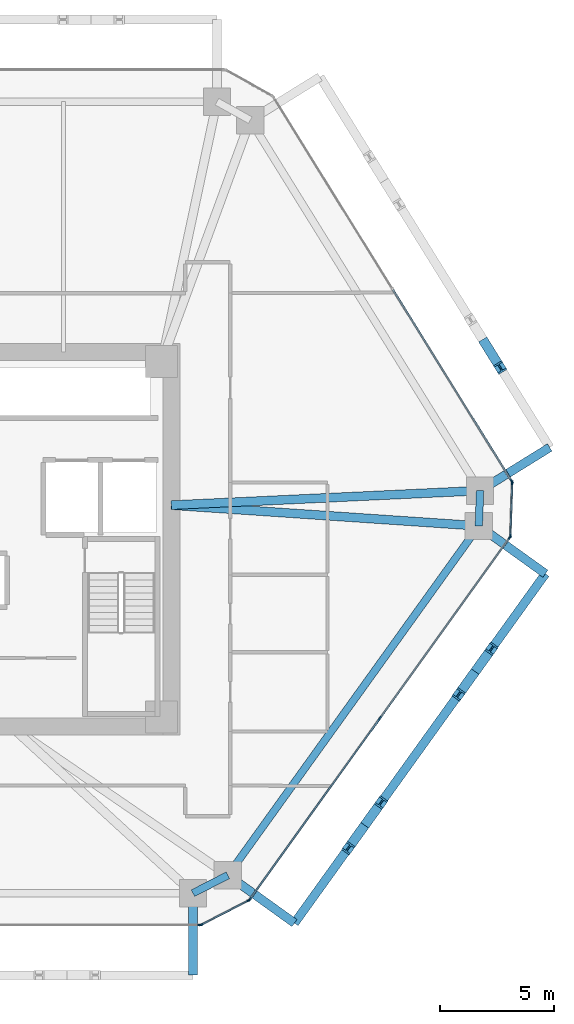
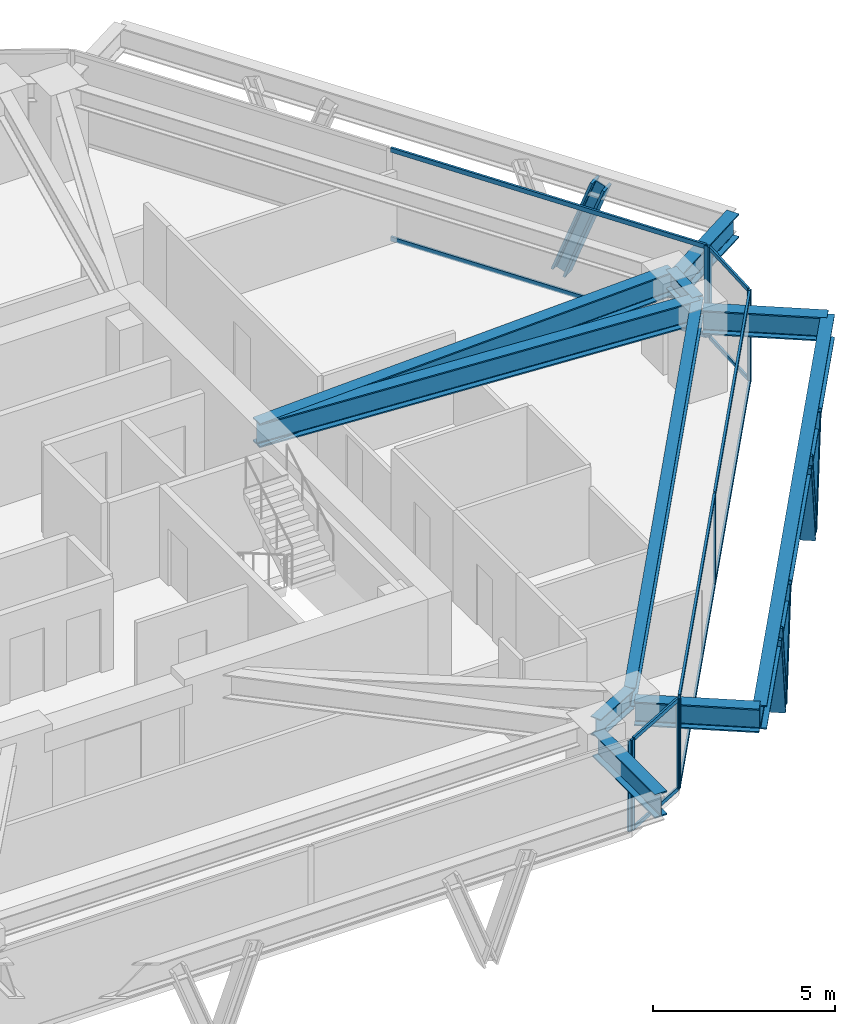
# One storey, part 5 of 13: 24 members, 10 beams, 5 elements without a shape of their own.
"""IFC4 building model written with IfcOpenShell, lengths in metres."""

from ifc_helpers import new_model, si_unit, direction, frame, origin, origin_2d, place, context, subcontext, project, spatial, rectangle, i_section, extrude, source, transform, mapped, material, layer, layer_set, material_profile, profile_set, type_object, type_shapes, element, aggregate, save


model = new_model("IFC4")

# Units and contexts
model_context = context("Model", 3, precision=1e-05, world=origin(), true_north=direction((0.0, 1.0)))
body_context = subcontext(model_context, "Body", "Model", "MODEL_VIEW")
ifc_project = project(units=[si_unit("LENGTHUNIT", "METRE"), si_unit("AREAUNIT", "SQUARE_METRE"), si_unit("VOLUMEUNIT", "CUBIC_METRE"), si_unit("PLANEANGLEUNIT", "RADIAN"), si_unit("MASSUNIT", "GRAM", prefix="KILO")], contexts=[model_context])

# Site, building, storey
site_placement = place(None, origin())
site = spatial("IfcSite", under=ifc_project, at=site_placement, CompositionType="ELEMENT")
building_placement = place(site_placement, origin())
building = spatial("IfcBuilding", under=site, at=building_placement, Name="Durnholm Broadcast Tower", CompositionType="ELEMENT")
storey_placement = place(building_placement, frame((0.0, 0.0, 100.800048828125)))
storey = spatial("IfcBuildingStorey", under=building, at=storey_placement, Name="L26", CompositionType="ELEMENT", Elevation=100.800048828125)

# Beams
ifc_material_1 = material(Name="Steel ASTM A992 Grade 50", Category="steel")
ifc_material_profile_1 = material_profile(ifc_material_1, i_section(OverallWidth=0.385009765625, OverallDepth=0.802978515625, WebThickness=0.023681640625, FlangeThickness=0.0419921875, FilletRadius=0.032958984375, at=origin_2d()), Name="W30X261")
ifc_profile_set_1 = profile_set([ifc_material_profile_1], Name="Steel ASTM A992 Grade 50")
beam_type_1 = type_object("IfcBeamType", Name="BM-EXO-TIE", PredefinedType="USERDEFINED", material=ifc_profile_set_1)
shared_shape_1 = source(origin(), body_context, "Body", "SweptSolid", [
    extrude(i_section(OverallWidth=0.385009765625, OverallDepth=0.802978515625, WebThickness=0.023681640625, FlangeThickness=0.0419921875, FilletRadius=0.032958984375, at=origin_2d()), origin(), (0.0, 0.0, 1.0), 3.4560546875),
])
for number, where, z_axis, x_axis, name in (
    (1, (11.176025390625, -15.680908203125, 2.30859375), (0.0, -1.0, 0.0), (1.0, 0.0, 0.0), "L26 exoskeleton stand-off tie bracket F1.2"),
    (2, (12.826904296875, -14.834228515625, 2.30859375), (0.812164951739, -0.583427880005, 0.0), (0.583427880005, 0.812164951739, 0.0), "L26 exoskeleton stand-off tie bracket F2.1"),
    (3, (23.844970703125, 0.5029296875, 2.30859375), (0.812164951739, -0.583427880005, 0.0), (0.583427880005, 0.812164951739, 0.0), "L26 exoskeleton stand-off tie bracket F2.2"),
    (4, (23.903076171875, 2.21240234375, 2.30859375), (0.849795112316, 0.527113144481, 0.0), (-0.527113144481, 0.849795112316, 0.0), "L26 exoskeleton stand-off tie bracket F3.1"),
):
    element("IfcBeam", number, at=place(storey_placement, frame(where, z_axis=z_axis, x_axis=x_axis)), inside=storey, type_object=beam_type_1, Name=name, ObjectType="GIRDER", PredefinedType="USERDEFINED", context=body_context, shape_type="MappedRepresentation", body=[
        mapped(shared_shape_1, transform((0.0, 0.0, 0.0), x_axis=(1.0, 0.0, 0.0), y_axis=(0.0, 1.0, 0.0), z_axis=(0.0, 0.0, 1.0), scale=1.0)),
    ])
ifc_material_profile_2 = material_profile(ifc_material_1, i_section(OverallWidth=0.3291015625, OverallDepth=0.635009765625, WebThickness=0.017822265625, FlangeThickness=0.031005859375, FilletRadius=0.02783203125, at=origin_2d()), Name="W24X162")
ifc_profile_set_2 = profile_set([ifc_material_profile_2], Name="Steel ASTM A992 Grade 50")
beam_type_2 = type_object("IfcBeamType", Name="STL-SP-W24X162", PredefinedType="SPANDREL", material=ifc_profile_set_2)
shared_shape_2 = source(origin(), body_context, "Body", "SweptSolid", [
    extrude(i_section(OverallWidth=0.3291015625, OverallDepth=0.635009765625, WebThickness=0.017822265625, FlangeThickness=0.031005859375, FilletRadius=0.02783203125, at=origin_2d()), origin(), (0.0, 0.0, 1.0), 18.884521484375),
])
beam_1_placement = place(storey_placement, frame((23.72802734375, 0.5869140625, 2.7275390625), z_axis=(-0.583443434414, -0.812153777827, 0.0), x_axis=(0.812153777827, -0.583443434414, 0.0)))
element("IfcBeam", 5, at=beam_1_placement, inside=storey, type_object=beam_type_2, Name="L26 perimeter spandrel girder 09", PredefinedType="SPANDREL", context=body_context, shape_type="MappedRepresentation", body=[
    mapped(shared_shape_2, transform((0.0, 0.0, 0.0), x_axis=(1.0, 0.0, 0.0), y_axis=(0.0, 1.0, 0.0), z_axis=(0.0, 0.0, 1.0), scale=1.0)),
])
shared_shape_3 = source(origin(), body_context, "Body", "SweptSolid", [
    extrude(i_section(OverallWidth=0.3291015625, OverallDepth=0.635009765625, WebThickness=0.017822265625, FlangeThickness=0.031005859375, FilletRadius=0.02783203125, at=origin_2d()), origin(), (0.0, 0.0, 1.0), 1.723876953125),
])
beam_2_placement = place(storey_placement, frame((12.7099609375, -14.750244140625, 2.7275390625), z_axis=(-0.889762904339, -0.456423020959, 0.0), x_axis=(0.456423020959, -0.889762904339, 0.0)))
element("IfcBeam", 6, at=beam_2_placement, inside=storey, type_object=beam_type_2, Name="L26 perimeter spandrel girder 10", PredefinedType="SPANDREL", context=body_context, shape_type="MappedRepresentation", body=[
    mapped(shared_shape_3, transform((0.0, 0.0, 0.0), x_axis=(1.0, 0.0, 0.0), y_axis=(0.0, 1.0, 0.0), z_axis=(0.0, 0.0, 1.0), scale=1.0)),
])
shared_shape_4 = source(origin(), body_context, "Body", "SweptSolid", [
    extrude(i_section(OverallWidth=0.3291015625, OverallDepth=0.635009765625, WebThickness=0.017822265625, FlangeThickness=0.031005859375, FilletRadius=0.02783203125, at=origin_2d()), origin(), (0.0, 0.0, 1.0), 1.55078125),
])
type_shapes(beam_type_2, [shared_shape_2, shared_shape_3, shared_shape_4])
beam_3_placement = place(storey_placement, frame((23.78076171875, 2.13671875, 2.7275390625), z_axis=(-0.03400678419, -0.999421602042, 0.0), x_axis=(0.999421602042, -0.03400678419, 0.0)))
element("IfcBeam", 7, at=beam_3_placement, inside=storey, type_object=beam_type_2, Name="L26 perimeter spandrel girder 08", PredefinedType="SPANDREL", context=body_context, shape_type="MappedRepresentation", body=[
    mapped(shared_shape_4, transform((0.0, 0.0, 0.0), x_axis=(1.0, 0.0, 0.0), y_axis=(0.0, 1.0, 0.0), z_axis=(0.0, 0.0, 1.0), scale=1.0)),
])
ifc_material_profile_3 = material_profile(ifc_material_1, i_section(OverallWidth=0.385009765625, OverallDepth=0.802978515625, WebThickness=0.023681640625, FlangeThickness=0.0419921875, FilletRadius=0.032958984375, at=origin_2d()), Name="W30X261")
ifc_profile_set_3 = profile_set([ifc_material_profile_3], Name="Steel ASTM A992 Grade 50")
beam_type_3 = type_object("IfcBeamType", Name="STL-GR-W30X261", PredefinedType="USERDEFINED", material=ifc_profile_set_3)
shared_shape_5 = source(origin(), body_context, "Body", "SweptSolid", [
    extrude(i_section(OverallWidth=0.385009765625, OverallDepth=0.802978515625, WebThickness=0.023681640625, FlangeThickness=0.0419921875, FilletRadius=0.032958984375, at=origin_2d()), origin(), (0.0, 0.0, 1.0), 13.570556640625),
])
beam_4_placement = place(storey_placement, frame((10.22509765625, 1.5, 2.6435546875), z_axis=(0.99889869961, 0.046918950518, 0.0), x_axis=(-0.046918950518, 0.99889869961, 0.0)))
element("IfcBeam", 8, at=beam_4_placement, inside=storey, type_object=beam_type_3, Name="L26 radial primary floor girder 08", ObjectType="GIRDER", PredefinedType="USERDEFINED", context=body_context, shape_type="MappedRepresentation", body=[
    mapped(shared_shape_5, transform((0.0, 0.0, 0.0), x_axis=(1.0, 0.0, 0.0), y_axis=(0.0, 1.0, 0.0), z_axis=(0.0, 0.0, 1.0), scale=1.0)),
])
shared_shape_6 = source(origin(), body_context, "Body", "SweptSolid", [
    extrude(i_section(OverallWidth=0.385009765625, OverallDepth=0.802978515625, WebThickness=0.023681640625, FlangeThickness=0.0419921875, FilletRadius=0.032958984375, at=origin_2d()), origin(), (0.0, 0.0, 1.0), 13.53369140625),
])
type_shapes(beam_type_3, [shared_shape_5, shared_shape_6])
beam_5_placement = place(storey_placement, frame((10.22509765625, 1.5, 2.6435546875), z_axis=(0.99772148964, -0.067467244725, 0.0), x_axis=(0.067467244725, 0.99772148964, 0.0)))
element("IfcBeam", 9, at=beam_5_placement, inside=storey, type_object=beam_type_3, Name="L26 radial primary floor girder 09", ObjectType="GIRDER", PredefinedType="USERDEFINED", context=body_context, shape_type="MappedRepresentation", body=[
    mapped(shared_shape_6, transform((0.0, 0.0, 0.0), x_axis=(1.0, 0.0, 0.0), y_axis=(0.0, 1.0, 0.0), z_axis=(0.0, 0.0, 1.0), scale=1.0)),
])
shared_shape_7 = source(origin(), body_context, "Body", "SweptSolid", [
    extrude(i_section(OverallWidth=0.385009765625, OverallDepth=0.802978515625, WebThickness=0.023681640625, FlangeThickness=0.0419921875, FilletRadius=0.032958984375, at=origin_2d()), origin(), (0.0, 0.0, 1.0), 18.884521484375),
])
type_shapes(beam_type_1, [shared_shape_1, shared_shape_7])
beam_6_placement = place(storey_placement, frame((15.6337890625, -16.8505859375, 2.30859375), z_axis=(0.583443434414, 0.812153777827, 0.0), x_axis=(-0.812153777827, 0.583443434414, 0.0)))
element("IfcBeam", 10, at=beam_6_placement, inside=storey, type_object=beam_type_1, Name="L26 exoskeleton collector spandrel F2", PredefinedType="SPANDREL", context=body_context, shape_type="MappedRepresentation", body=[
    mapped(shared_shape_7, transform((0.0, 0.0, 0.0), x_axis=(1.0, 0.0, 0.0), y_axis=(0.0, 1.0, 0.0), z_axis=(0.0, 0.0, 1.0), scale=1.0)),
])

# Members
ifc_material_2 = material(Name="Steel ASTM A913 Grade 65", Category="steel")
ifc_material_profile_4 = material_profile(ifc_material_2, i_section(OverallWidth=0.424072265625, OverallDepth=0.47412109375, WebThickness=0.047607421875, FlangeThickness=0.0771484375, FilletRadius=0.030517578125, at=origin_2d()), Name="W14X426")
ifc_profile_set_4 = profile_set([ifc_material_profile_4], Name="Steel ASTM A913 Grade 65")
member_type_1 = type_object("IfcMemberType", Name="STL-DG-W14X426", PredefinedType="BRACE", material=ifc_profile_set_4)
shared_shape_8 = source(origin(), body_context, "Body", "SweptSolid", [
    extrude(i_section(OverallWidth=0.424072265625, OverallDepth=0.47412109375, WebThickness=0.047607421875, FlangeThickness=0.0771484375, FilletRadius=0.030517578125, at=origin_2d()), origin(), (0.0, 0.0, 1.0), 3.523193359375),
])
type_shapes(member_type_1, [shared_shape_8])
for number, where, z_axis, x_axis, name in (
    (11, (18.71875, -12.556396484375, -0.991455078125), (-0.204287819296, -0.284395254542, 0.936688756248), (0.812179469647, -0.583407669717, 0.0), "L26 stand-off diagrid brace F2.D1.1"),
    (12, (18.71875, -12.556396484375, -0.991455078125), (0.204350195342, 0.284454917557, 0.936657033039), (-0.812153063014, 0.583444429434, 0.0), "L26 stand-off diagrid brace F2.D1.2"),
    (13, (23.56689453125, -5.807861328125, -0.991455078125), (-0.204350195342, -0.284454917557, 0.936657033039), (0.812153063014, -0.583444429434, 0.0), "L26 stand-off diagrid brace F2.D2.1"),
    (14, (23.56689453125, -5.807861328125, -0.991455078125), (0.204287819296, 0.284395254542, 0.936688756248), (-0.812179469647, 0.583407669717, 0.0), "L26 stand-off diagrid brace F2.D2.2"),
    (15, (24.01513671875, 8.58837890625, -0.991455078125), (0.184602835855, -0.297623566065, 0.936665364961), (0.849805205368, 0.527096872433, 0.0), "L26 stand-off diagrid brace F3.D1.1"),
):
    element("IfcMember", number, at=place(storey_placement, frame(where, z_axis=z_axis, x_axis=x_axis)), inside=storey, type_object=member_type_1, Name=name, PredefinedType="BRACE", context=body_context, shape_type="MappedRepresentation", body=[
        mapped(shared_shape_8, transform((0.0, 0.0, 0.0), x_axis=(1.0, 0.0, 0.0), y_axis=(0.0, 1.0, 0.0), z_axis=(0.0, 0.0, 1.0), scale=1.0)),
    ])

# Curtain wall, members
ifc_material_3 = material(Name="Aluminium and Solar Control IGU", Category="aluminium")
ifc_layer_1 = layer(ifc_material_3, 0.1650390625)
ifc_layer_set_1 = layer_set([ifc_layer_1], Name="Aluminium and Solar Control IGU")
curtain_wall_type_1 = type_object("IfcCurtainWallType", Name="CW-SYS-5", PredefinedType="NOTDEFINED", material=ifc_layer_set_1)
curtain_wall_1_placement = place(storey_placement, origin())
curtain_wall_1 = element("IfcCurtainWall", 16, at=curtain_wall_1_placement, inside=storey, type_object=curtain_wall_type_1, Name="L26 curtain wall CW-CORNER CW-L26-CRN-07", PredefinedType="NOTDEFINED")
ifc_material_4 = material(Name="Aluminium 6063-T6", Category="aluminium")
ifc_material_profile_5 = material_profile(ifc_material_4, rectangle(XDim=0.06494140625, YDim=0.1650390625, at=origin_2d()), Name="CWM65X165")
ifc_profile_set_5 = profile_set([ifc_material_profile_5], Name="Aluminium 6063-T6")
member_type_2 = type_object("IfcMemberType", Name="CW-SYS-5-MUL", PredefinedType="MULLION", material=ifc_profile_set_5)
shared_shape_9 = source(origin(), body_context, "Body", "SweptSolid", [
    extrude(rectangle(XDim=0.06494140625, YDim=0.1650390625, at=origin_2d()), origin(), (0.0, 0.0, 1.0), 3.06005859375),
])
type_shapes(member_type_2, [shared_shape_9])
member_1_placement = place(storey_placement, frame((25.193115234375, 2.481201171875, 0.0), z_axis=(0.0, 0.0, 1.0), x_axis=(0.999424655155, -0.033916937775, 0.0)))
member_1 = element("IfcMember", 17, at=member_1_placement, type_object=member_type_2, Name="CW-CORNER mullion 1", PredefinedType="MULLION", context=body_context, shape_type="MappedRepresentation", body=[
    mapped(shared_shape_9, transform((0.0, 0.0, 0.0), x_axis=(1.0, 0.0, 0.0), y_axis=(0.0, 1.0, 0.0), z_axis=(0.0, 0.0, 1.0), scale=1.0)),
])
member_2_placement = place(storey_placement, frame((25.114013671875, 0.1474609375, 0.0), z_axis=(0.0, 0.0, 1.0), x_axis=(0.999424655155, -0.033916937775, 0.0)))
member_2 = element("IfcMember", 18, at=member_2_placement, type_object=member_type_2, Name="CW-CORNER mullion 2", PredefinedType="MULLION", context=body_context, shape_type="MappedRepresentation", body=[
    mapped(shared_shape_9, transform((0.0, 0.0, 0.0), x_axis=(1.0, 0.0, 0.0), y_axis=(0.0, 1.0, 0.0), z_axis=(0.0, 0.0, 1.0), scale=1.0)),
])

curtain_wall_2_placement = place(storey_placement, origin())
curtain_wall_2 = element("IfcCurtainWall", 19, at=curtain_wall_2_placement, inside=storey, type_object=curtain_wall_type_1, Name="L26 curtain wall CW-CORNER CW-L26-CRN-09", PredefinedType="NOTDEFINED")
member_3_placement = place(storey_placement, frame((13.620849609375, -15.8564453125, 0.0), z_axis=(0.0, 0.0, 1.0), x_axis=(0.45637332267, -0.889788396392, 0.0)))
member_3 = element("IfcMember", 20, at=member_3_placement, type_object=member_type_2, Name="CW-CORNER mullion 1", PredefinedType="MULLION", context=body_context, shape_type="MappedRepresentation", body=[
    mapped(shared_shape_9, transform((0.0, 0.0, 0.0), x_axis=(1.0, 0.0, 0.0), y_axis=(0.0, 1.0, 0.0), z_axis=(0.0, 0.0, 1.0), scale=1.0)),
])
member_4_placement = place(storey_placement, frame((11.543212890625, -16.922119140625, 0.0), z_axis=(0.0, 0.0, 1.0), x_axis=(0.45637332267, -0.889788396392, 0.0)))
member_4 = element("IfcMember", 21, at=member_4_placement, type_object=member_type_2, Name="CW-CORNER mullion 2", PredefinedType="MULLION", context=body_context, shape_type="MappedRepresentation", body=[
    mapped(shared_shape_9, transform((0.0, 0.0, 0.0), x_axis=(1.0, 0.0, 0.0), y_axis=(0.0, 1.0, 0.0), z_axis=(0.0, 0.0, 1.0), scale=1.0)),
])

# Curtain wall, member
ifc_layer_2 = layer(ifc_material_3, 0.18994140625)
ifc_layer_set_2 = layer_set([ifc_layer_2], Name="Aluminium and Solar Control IGU")
curtain_wall_type_2 = type_object("IfcCurtainWallType", Name="CW-SYS-3", PredefinedType="NOTDEFINED", material=ifc_layer_set_2)
curtain_wall_3_placement = place(storey_placement, origin())
curtain_wall_3 = element("IfcCurtainWall", 22, at=curtain_wall_3_placement, inside=storey, type_object=curtain_wall_type_2, Name="L26 curtain wall CW-Z12-VIS CW-L26-F06", PredefinedType="NOTDEFINED")
ifc_material_profile_6 = material_profile(ifc_material_4, rectangle(XDim=0.070068359375, YDim=0.18994140625, at=origin_2d()), Name="CWM70X190")
ifc_profile_set_6 = profile_set([ifc_material_profile_6], Name="Aluminium 6063-T6")
member_type_3 = type_object("IfcMemberType", Name="CW-SYS-3-MUL", PredefinedType="MULLION", material=ifc_profile_set_6)
shared_shape_10 = source(origin(), body_context, "Body", "SweptSolid", [
    extrude(rectangle(XDim=0.070068359375, YDim=0.18994140625, at=origin_2d()), origin(), (0.0, 0.0, 1.0), 3.06005859375),
])
type_shapes(member_type_3, [shared_shape_10])
member_5_placement = place(storey_placement, frame((25.17578125, 2.54345703125, 0.0), z_axis=(0.0, 0.0, 1.0), x_axis=(0.849799925229, 0.527105385176, 0.0)))
member_5 = element("IfcMember", 23, at=member_5_placement, type_object=member_type_3, Name="CW-Z12-VIS mullion 3", PredefinedType="MULLION", context=body_context, shape_type="MappedRepresentation", body=[
    mapped(shared_shape_10, transform((0.0, 0.0, 0.0), x_axis=(1.0, 0.0, 0.0), y_axis=(0.0, 1.0, 0.0), z_axis=(0.0, 0.0, 1.0), scale=1.0)),
])

# Curtain wall, members
curtain_wall_4_placement = place(storey_placement, origin())
curtain_wall_4 = element("IfcCurtainWall", 24, at=curtain_wall_4_placement, inside=storey, type_object=curtain_wall_type_2, Name="L26 curtain wall CW-Z12-VIS CW-L26-F08", PredefinedType="NOTDEFINED")
member_6_placement = place(storey_placement, frame((25.092529296875, 0.086669921875, 0.0), z_axis=(0.0, 0.0, 1.0), x_axis=(0.812152312759, -0.583445473786, 0.0)))
member_6 = element("IfcMember", 25, at=member_6_placement, type_object=member_type_3, Name="CW-Z12-VIS mullion 1", PredefinedType="MULLION", context=body_context, shape_type="MappedRepresentation", body=[
    mapped(shared_shape_10, transform((0.0, 0.0, 0.0), x_axis=(1.0, 0.0, 0.0), y_axis=(0.0, 1.0, 0.0), z_axis=(0.0, 0.0, 1.0), scale=1.0)),
])
member_7_placement = place(storey_placement, frame((19.38134765625, -7.86328125, 0.0), z_axis=(0.0, 0.0, 1.0), x_axis=(0.812152312759, -0.583445473786, 0.0)))
member_7 = element("IfcMember", 26, at=member_7_placement, type_object=member_type_3, Name="CW-Z12-VIS mullion 2", PredefinedType="MULLION", context=body_context, shape_type="MappedRepresentation", body=[
    mapped(shared_shape_10, transform((0.0, 0.0, 0.0), x_axis=(1.0, 0.0, 0.0), y_axis=(0.0, 1.0, 0.0), z_axis=(0.0, 0.0, 1.0), scale=1.0)),
])
member_8_placement = place(storey_placement, frame((13.670166015625, -15.813232421875, 0.0), z_axis=(0.0, 0.0, 1.0), x_axis=(0.812152312759, -0.583445473786, 0.0)))
member_8 = element("IfcMember", 27, at=member_8_placement, type_object=member_type_3, Name="CW-Z12-VIS mullion 3", PredefinedType="MULLION", context=body_context, shape_type="MappedRepresentation", body=[
    mapped(shared_shape_10, transform((0.0, 0.0, 0.0), x_axis=(1.0, 0.0, 0.0), y_axis=(0.0, 1.0, 0.0), z_axis=(0.0, 0.0, 1.0), scale=1.0)),
])

# Curtain wall, member
curtain_wall_5_placement = place(storey_placement, origin())
curtain_wall_5 = element("IfcCurtainWall", 28, at=curtain_wall_5_placement, inside=storey, type_object=curtain_wall_type_2, Name="L26 curtain wall CW-Z12-VIS CW-L26-F10", PredefinedType="NOTDEFINED")
member_9_placement = place(storey_placement, frame((11.479248046875, -16.93701171875, 0.0), z_axis=(0.0, 0.0, 1.0), x_axis=(0.0, -1.0, 0.0)))
member_9 = element("IfcMember", 29, at=member_9_placement, type_object=member_type_3, Name="CW-Z12-VIS mullion 1", PredefinedType="MULLION", context=body_context, shape_type="MappedRepresentation", body=[
    mapped(shared_shape_10, transform((0.0, 0.0, 0.0), x_axis=(1.0, 0.0, 0.0), y_axis=(0.0, 1.0, 0.0), z_axis=(0.0, 0.0, 1.0), scale=1.0)),
])
aggregate(curtain_wall_5, [member_9])

# Member
ifc_material_profile_7 = material_profile(ifc_material_4, rectangle(XDim=0.06494140625, YDim=0.1298828125, at=origin_2d()), Name="CWT65X130")
ifc_profile_set_7 = profile_set([ifc_material_profile_7], Name="Aluminium 6063-T6")
member_type_4 = type_object("IfcMemberType", Name="CW-SYS-5-TRN", PredefinedType="USERDEFINED", material=ifc_profile_set_7)
shared_shape_11 = source(origin(), body_context, "Body", "SweptSolid", [
    extrude(rectangle(XDim=0.06494140625, YDim=0.1298828125, at=origin_2d()), origin(), (0.0, 0.0, 1.0), 2.27001953125),
])
type_shapes(member_type_4, [shared_shape_11])
member_10_placement = place(storey_placement, frame((25.192138671875, 2.44873046875, 0.032470703125), z_axis=(-0.03398444704, -0.999422361847, 0.0), x_axis=(0.999422361847, -0.03398444704, 0.0)))
member_10 = element("IfcMember", 30, at=member_10_placement, type_object=member_type_4, Name="CW-CORNER transom 1.1", ObjectType="TRANSOM", PredefinedType="USERDEFINED", context=body_context, shape_type="MappedRepresentation", body=[
    mapped(shared_shape_11, transform((0.0, 0.0, 0.0), x_axis=(1.0, 0.0, 0.0), y_axis=(0.0, 1.0, 0.0), z_axis=(0.0, 0.0, 1.0), scale=1.0)),
])

member_11_placement = place(storey_placement, frame((25.192138671875, 2.44873046875, 3.02734375), z_axis=(-0.03398444704, -0.999422361847, 0.0), x_axis=(0.999422361847, -0.03398444704, 0.0)))
member_11 = element("IfcMember", 31, at=member_11_placement, type_object=member_type_4, Name="CW-CORNER transom 1.2", ObjectType="TRANSOM", PredefinedType="USERDEFINED", context=body_context, shape_type="MappedRepresentation", body=[
    mapped(shared_shape_11, transform((0.0, 0.0, 0.0), x_axis=(1.0, 0.0, 0.0), y_axis=(0.0, 1.0, 0.0), z_axis=(0.0, 0.0, 1.0), scale=1.0)),
])

aggregate(curtain_wall_1, [member_1, member_2, member_10, member_11])

member_12_placement = place(storey_placement, frame((13.591796875, -15.871337890625, 0.032470703125), z_axis=(-0.889798425843, -0.456353767781, 0.0), x_axis=(0.456353767781, -0.889798425843, 0.0)))
member_12 = element("IfcMember", 32, at=member_12_placement, type_object=member_type_4, Name="CW-CORNER transom 1.1", ObjectType="TRANSOM", PredefinedType="USERDEFINED", context=body_context, shape_type="MappedRepresentation", body=[
    mapped(shared_shape_11, transform((0.0, 0.0, 0.0), x_axis=(1.0, 0.0, 0.0), y_axis=(0.0, 1.0, 0.0), z_axis=(0.0, 0.0, 1.0), scale=1.0)),
])

member_13_placement = place(storey_placement, frame((13.591796875, -15.871337890625, 3.02734375), z_axis=(-0.889798425843, -0.456353767781, 0.0), x_axis=(0.456353767781, -0.889798425843, 0.0)))
member_13 = element("IfcMember", 33, at=member_13_placement, type_object=member_type_4, Name="CW-CORNER transom 1.2", ObjectType="TRANSOM", PredefinedType="USERDEFINED", context=body_context, shape_type="MappedRepresentation", body=[
    mapped(shared_shape_11, transform((0.0, 0.0, 0.0), x_axis=(1.0, 0.0, 0.0), y_axis=(0.0, 1.0, 0.0), z_axis=(0.0, 0.0, 1.0), scale=1.0)),
])

aggregate(curtain_wall_2, [member_3, member_4, member_12, member_13])

ifc_material_profile_8 = material_profile(ifc_material_4, rectangle(XDim=0.070068359375, YDim=0.14990234375, at=origin_2d()), Name="CWT70X150")
ifc_profile_set_8 = profile_set([ifc_material_profile_8], Name="Aluminium 6063-T6")
member_type_5 = type_object("IfcMemberType", Name="CW-SYS-3-TRN", PredefinedType="USERDEFINED", material=ifc_profile_set_8)
shared_shape_12 = source(origin(), body_context, "Body", "SweptSolid", [
    extrude(rectangle(XDim=0.070068359375, YDim=0.14990234375, at=origin_2d()), origin(), (0.0, 0.0, 1.0), 9.71875),
])
member_14_placement = place(storey_placement, frame((25.072021484375, 0.05810546875, 0.034912109375), z_axis=(-0.583450726174, -0.812148539448, 0.0), x_axis=(0.812148539448, -0.583450726174, 0.0)))
member_14 = element("IfcMember", 34, at=member_14_placement, type_object=member_type_5, Name="CW-Z12-VIS transom 1.1", ObjectType="TRANSOM", PredefinedType="USERDEFINED", context=body_context, shape_type="MappedRepresentation", body=[
    mapped(shared_shape_12, transform((0.0, 0.0, 0.0), x_axis=(1.0, 0.0, 0.0), y_axis=(0.0, 1.0, 0.0), z_axis=(0.0, 0.0, 1.0), scale=1.0)),
])

member_15_placement = place(storey_placement, frame((25.072021484375, 0.05810546875, 3.02490234375), z_axis=(-0.583450726174, -0.812148539448, 0.0), x_axis=(0.812148539448, -0.583450726174, 0.0)))
member_15 = element("IfcMember", 35, at=member_15_placement, type_object=member_type_5, Name="CW-Z12-VIS transom 1.2", ObjectType="TRANSOM", PredefinedType="USERDEFINED", context=body_context, shape_type="MappedRepresentation", body=[
    mapped(shared_shape_12, transform((0.0, 0.0, 0.0), x_axis=(1.0, 0.0, 0.0), y_axis=(0.0, 1.0, 0.0), z_axis=(0.0, 0.0, 1.0), scale=1.0)),
])

member_16_placement = place(storey_placement, frame((19.36083984375, -7.891845703125, 0.034912109375), z_axis=(-0.583450726174, -0.812148539448, 0.0), x_axis=(0.812148539448, -0.583450726174, 0.0)))
member_16 = element("IfcMember", 36, at=member_16_placement, type_object=member_type_5, Name="CW-Z12-VIS transom 2.1", ObjectType="TRANSOM", PredefinedType="USERDEFINED", context=body_context, shape_type="MappedRepresentation", body=[
    mapped(shared_shape_12, transform((0.0, 0.0, 0.0), x_axis=(1.0, 0.0, 0.0), y_axis=(0.0, 1.0, 0.0), z_axis=(0.0, 0.0, 1.0), scale=1.0)),
])

member_17_placement = place(storey_placement, frame((19.36083984375, -7.891845703125, 3.02490234375), z_axis=(-0.583450726174, -0.812148539448, 0.0), x_axis=(0.812148539448, -0.583450726174, 0.0)))
member_17 = element("IfcMember", 37, at=member_17_placement, type_object=member_type_5, Name="CW-Z12-VIS transom 2.2", ObjectType="TRANSOM", PredefinedType="USERDEFINED", context=body_context, shape_type="MappedRepresentation", body=[
    mapped(shared_shape_12, transform((0.0, 0.0, 0.0), x_axis=(1.0, 0.0, 0.0), y_axis=(0.0, 1.0, 0.0), z_axis=(0.0, 0.0, 1.0), scale=1.0)),
])

aggregate(curtain_wall_4, [member_6, member_7, member_8, member_14, member_15, member_16, member_17])

shared_shape_13 = source(origin(), body_context, "Body", "SweptSolid", [
    extrude(rectangle(XDim=0.070068359375, YDim=0.14990234375, at=origin_2d()), origin(), (0.0, 0.0, 1.0), 9.859130859375),
])
type_shapes(member_type_5, [shared_shape_12, shared_shape_13])
member_18_placement = place(storey_placement, frame((19.960693359375, 10.951171875, 0.034912109375), z_axis=(0.527108872232, -0.849797762303, 0.0), x_axis=(0.849797762303, 0.527108872232, 0.0)))
member_18 = element("IfcMember", 38, at=member_18_placement, type_object=member_type_5, Name="CW-Z12-VIS transom 2.1", ObjectType="TRANSOM", PredefinedType="USERDEFINED", context=body_context, shape_type="MappedRepresentation", body=[
    mapped(shared_shape_13, transform((0.0, 0.0, 0.0), x_axis=(1.0, 0.0, 0.0), y_axis=(0.0, 1.0, 0.0), z_axis=(0.0, 0.0, 1.0), scale=1.0)),
])

member_19_placement = place(storey_placement, frame((19.960693359375, 10.951171875, 3.02490234375), z_axis=(0.527108872232, -0.849797762303, 0.0), x_axis=(0.849797762303, 0.527108872232, 0.0)))
member_19 = element("IfcMember", 39, at=member_19_placement, type_object=member_type_5, Name="CW-Z12-VIS transom 2.2", ObjectType="TRANSOM", PredefinedType="USERDEFINED", context=body_context, shape_type="MappedRepresentation", body=[
    mapped(shared_shape_13, transform((0.0, 0.0, 0.0), x_axis=(1.0, 0.0, 0.0), y_axis=(0.0, 1.0, 0.0), z_axis=(0.0, 0.0, 1.0), scale=1.0)),
])

aggregate(curtain_wall_3, [member_5, member_18, member_19])

save(model, "model.ifc")
